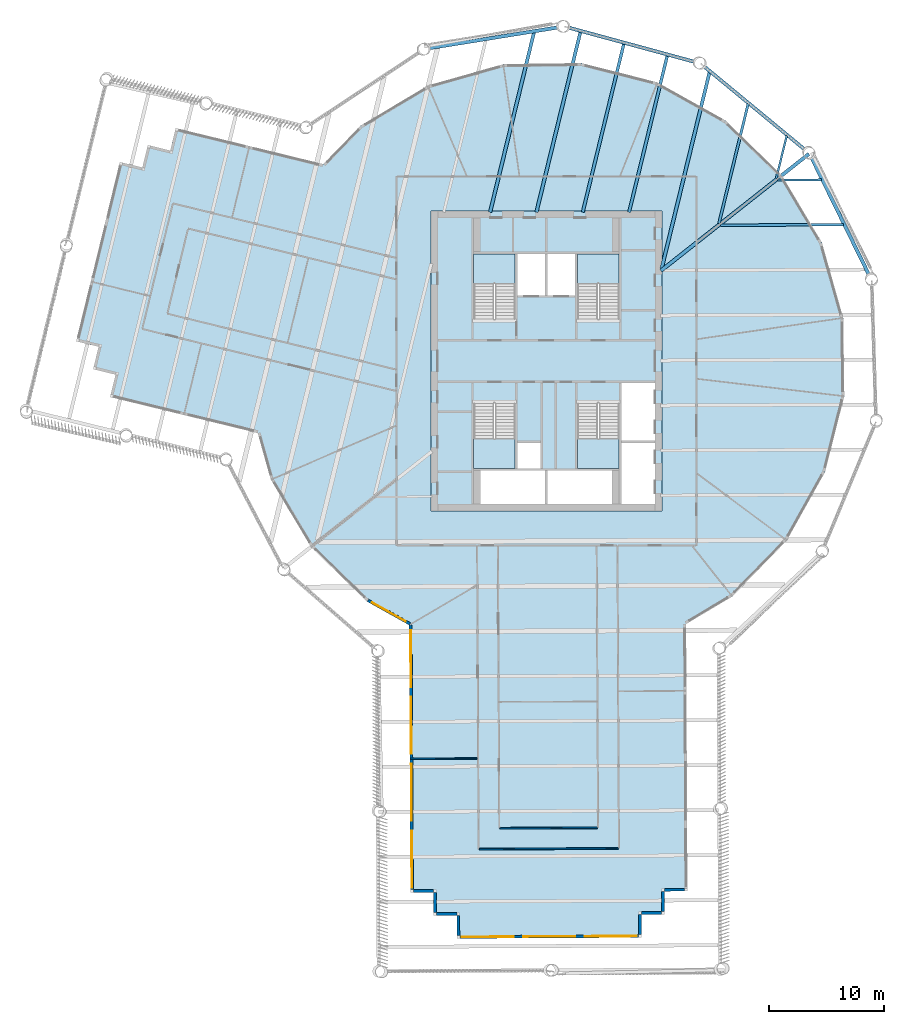
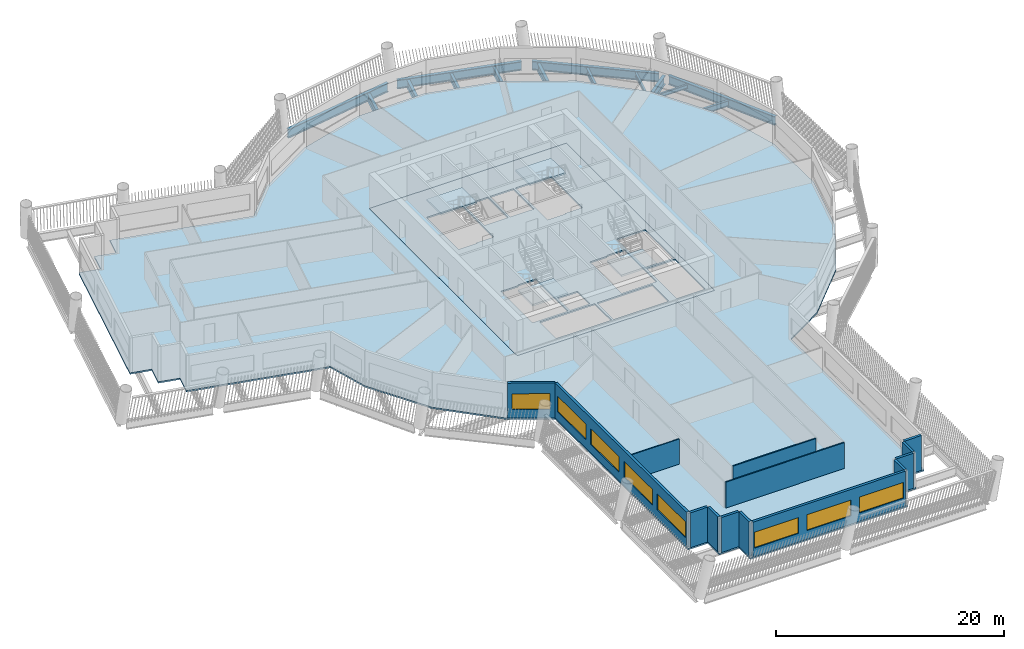
# One storey, part 2 of 15: 14 beams, 14 walls, 8 windows, 6 slabs, 8 openings, 4 elements without a shape of their own.
"""IFC4 building model written with IfcOpenShell, lengths in metres."""

from ifc_helpers import new_model, si_unit, direction, frame, frame_2d, origin, origin_2d, place, context, subcontext, project, spatial, polyline, rectangle, i_section, outline, extrude, material, layer, layer_set, material_profile, profile_set, type_object, element, fill, aggregate, save


model = new_model("IFC4")

# Units and contexts
model_context = context("Model", 3, precision=1e-05, world=origin(), true_north=direction((0.0, 1.0)))
body_context = subcontext(model_context, "Body", "Model", "MODEL_VIEW")
ifc_project = project(units=[si_unit("LENGTHUNIT", "METRE"), si_unit("AREAUNIT", "SQUARE_METRE"), si_unit("VOLUMEUNIT", "CUBIC_METRE"), si_unit("PLANEANGLEUNIT", "RADIAN"), si_unit("MASSUNIT", "GRAM", prefix="KILO")], contexts=[model_context])

# Site, building, storey
site_placement = place(None, origin())
site = spatial("IfcSite", under=ifc_project, at=site_placement, CompositionType="ELEMENT")
building_placement = place(site_placement, origin())
building = spatial("IfcBuilding", under=site, at=building_placement, Name="Tarsis Ring Headquarters", CompositionType="ELEMENT")
storey_placement = place(building_placement, frame((0.0, 0.0, 227.699951171875)))
storey = spatial("IfcBuildingStorey", under=building, at=storey_placement, Name="L53", CompositionType="ELEMENT", Elevation=227.699951171875)

# Beams
ifc_material_1 = material(Name="Structural steel S355", Category="steel")
ifc_material_profile_1 = material_profile(ifc_material_1, i_section(OverallWidth=0.177734375, OverallDepth=0.406494140625, WebThickness=0.0078125, FlangeThickness=0.0126953125, at=origin_2d()), Name="W16x40")
ifc_profile_set_1 = profile_set([ifc_material_profile_1], Name="Structural steel S355")
beam_type_1 = type_object("IfcBeamType", Name="FB Floor beam W16x40", PredefinedType="JOIST", material=ifc_profile_set_1)
for number, where, z_axis, x_axis, name in (
    (1, (20.042236328125, 15.6982421875, -0.363037109375), (0.999988111691, 0.004876112953, 0.0), (-0.004876112953, 0.999988111691, 0.0), "Floor beam FB1"),
    (2, (20.8291015625, 19.541259765625, -0.363037109375), (-0.23720283716, -0.971460145371, 0.0), (0.971460145371, -0.23720283716, 0.0), "Floor beam FB1"),
):
    element("IfcBeam", number, at=place(storey_placement, frame(where, z_axis=z_axis, x_axis=x_axis)), inside=storey, type_object=beam_type_1, Name=name, PredefinedType="JOIST", context=body_context, shape_type="SweptSolid", body=[
        extrude(i_section(OverallWidth=0.177734375, OverallDepth=0.406494140625, WebThickness=0.0078125, FlangeThickness=0.0126953125, at=origin_2d()), origin(), (0.0, 0.0, 1.0), 3.80517578125),
    ])
ifc_material_profile_2 = material_profile(ifc_material_1, i_section(OverallWidth=0.228271484375, OverallDepth=0.607177734375, WebThickness=0.01123046875, FlangeThickness=0.017333984375, at=origin_2d()), Name="W24x76")
ifc_profile_set_2 = profile_set([ifc_material_profile_2], Name="Structural steel S355")
beam_type_2 = type_object("IfcBeamType", Name="FB Floor beam W24x76", PredefinedType="JOIST", material=ifc_profile_set_2)
for number, where, z_axis, x_axis, name in (
    (3, (15.069580078125, 11.773681640625, -0.463623046875), (0.99998804483, 0.004889805356, 0.0), (-0.004889805356, 0.99998804483, 0.0), "Floor beam FB4"),
    (4, (17.488037109375, 22.30029296875, -0.463623046875), (-0.237177098944, -0.971466429547, 0.0), (0.971466429547, -0.237177098944, 0.0), "Floor beam FB4"),
):
    element("IfcBeam", number, at=place(storey_placement, frame(where, z_axis=z_axis, x_axis=x_axis)), inside=storey, type_object=beam_type_2, Name=name, PredefinedType="JOIST", context=body_context, shape_type="SweptSolid", body=[
        extrude(i_section(OverallWidth=0.228271484375, OverallDepth=0.607177734375, WebThickness=0.01123046875, FlangeThickness=0.017333984375, at=origin_2d()), origin(), (0.0, 0.0, 1.0), 10.684814453125),
    ])
ifc_material_profile_3 = material_profile(ifc_material_1, i_section(OverallWidth=0.2666015625, OverallDepth=0.7568359375, WebThickness=0.013916015625, FlangeThickness=0.019287109375, at=origin_2d()), Name="W30x108")
ifc_profile_set_3 = profile_set([ifc_material_profile_3], Name="Structural steel S355")
beam_type_3 = type_object("IfcBeamType", Name="FB Floor beam W30x108", PredefinedType="JOIST", material=ifc_profile_set_3)
beam_1_placement = place(storey_placement, frame((10.48876953125, 26.517822265625, -0.538330078125), z_axis=(-0.237174732449, -0.971467007308, 0.0), x_axis=(0.971467007308, -0.237174732449, 0.0)))
element("IfcBeam", 5, at=beam_1_placement, inside=storey, type_object=beam_type_3, Name="Floor beam FB6", PredefinedType="JOIST", context=body_context, shape_type="SweptSolid", body=[
    extrude(i_section(OverallWidth=0.2666015625, OverallDepth=0.7568359375, WebThickness=0.013916015625, FlangeThickness=0.019287109375, at=origin_2d()), origin(), (0.0, 0.0, 1.0), 14.014892578125),
])
beam_2_placement = place(storey_placement, frame((6.72412109375, 27.541259765625, -0.538330078125), z_axis=(-0.237183322263, -0.971464910143, 0.0), x_axis=(0.971464910143, -0.237183322263, 0.0)))
element("IfcBeam", 6, at=beam_2_placement, inside=storey, type_object=beam_type_3, Name="Floor beam FB6", PredefinedType="JOIST", context=body_context, shape_type="SweptSolid", body=[
    extrude(i_section(OverallWidth=0.2666015625, OverallDepth=0.7568359375, WebThickness=0.013916015625, FlangeThickness=0.019287109375, at=origin_2d()), origin(), (0.0, 0.0, 1.0), 15.068359375),
])
ifc_material_profile_4 = material_profile(ifc_material_1, i_section(OverallWidth=0.2919921875, OverallDepth=0.835693359375, WebThickness=0.013916015625, FlangeThickness=0.018798828125, at=origin_2d()), Name="W33x118")
ifc_profile_set_4 = profile_set([ifc_material_profile_4], Name="Structural steel S355")
beam_type_4 = type_object("IfcBeamType", Name="FB Floor beam W33x118", PredefinedType="JOIST", material=ifc_profile_set_4)
beam_3_placement = place(storey_placement, frame((14.147216796875, 25.05908203125, -0.577880859375), z_axis=(-0.237187843608, -0.971463806245, 0.0), x_axis=(0.971463806245, -0.237187843608, 0.0)))
element("IfcBeam", 7, at=beam_3_placement, inside=storey, type_object=beam_type_4, Name="Floor beam FB7", PredefinedType="JOIST", context=body_context, shape_type="SweptSolid", body=[
    extrude(i_section(OverallWidth=0.2919921875, OverallDepth=0.835693359375, WebThickness=0.013916015625, FlangeThickness=0.018798828125, at=origin_2d()), origin(), (0.0, 0.0, 1.0), 17.564208984375),
])
beam_4_placement = place(storey_placement, frame((2.959228515625, 28.564453125, -0.577880859375), z_axis=(-0.23717998715, -0.971465724406, 0.0), x_axis=(0.971465724406, -0.23717998715, 0.0)))
element("IfcBeam", 8, at=beam_4_placement, inside=storey, type_object=beam_type_4, Name="Floor beam FB7", PredefinedType="JOIST", context=body_context, shape_type="SweptSolid", body=[
    extrude(i_section(OverallWidth=0.2919921875, OverallDepth=0.835693359375, WebThickness=0.013916015625, FlangeThickness=0.018798828125, at=origin_2d()), origin(), (0.0, 0.0, 1.0), 16.12158203125),
])
beam_5_placement = place(storey_placement, frame((-1.064697265625, 28.525634765625, -0.577880859375), z_axis=(-0.237177398188, -0.971466356488, 0.0), x_axis=(0.971466356488, -0.237177398188, 0.0)))
element("IfcBeam", 9, at=beam_5_placement, inside=storey, type_object=beam_type_4, Name="Floor beam FB7", PredefinedType="JOIST", context=body_context, shape_type="SweptSolid", body=[
    extrude(i_section(OverallWidth=0.2919921875, OverallDepth=0.835693359375, WebThickness=0.013916015625, FlangeThickness=0.018798828125, at=origin_2d()), origin(), (0.0, 0.0, 1.0), 16.081787109375),
])
ifc_material_profile_5 = material_profile(ifc_material_1, i_section(OverallWidth=0.309814453125, OverallDepth=0.949951171875, WebThickness=0.0244140625, FlangeThickness=0.0439453125, at=origin_2d()), Name="W36x256")
ifc_profile_set_5 = profile_set([ifc_material_profile_5], Name="Structural steel S355")
beam_type_5 = type_object("IfcBeamType", Name="FB Floor beam W36x256 spine", PredefinedType="BEAM", material=ifc_profile_set_5)
beam_6_placement = place(storey_placement, frame((22.7568359375, 17.95947265625, -0.635009765625), z_axis=(-0.784990150992, -0.619508242759, 0.0), x_axis=(0.619508242759, -0.784990150992, 0.0)))
element("IfcBeam", 10, at=beam_6_placement, inside=storey, type_object=beam_type_5, Name="Floor beam SB11", PredefinedType="BEAM", context=body_context, shape_type="SweptSolid", body=[
    extrude(i_section(OverallWidth=0.309814453125, OverallDepth=0.949951171875, WebThickness=0.0244140625, FlangeThickness=0.0439453125, at=origin_2d()), origin(), (0.0, 0.0, 1.0), 16.35107421875),
])
beam_type_6 = type_object("IfcBeamType", Name="XG Ring girder W36x256", PredefinedType="BEAM", material=ifc_profile_set_5)
beam_7_placement = place(storey_placement, frame((27.98193359375, 7.427734375, -0.474853515625), z_axis=(-0.440062508416, 0.89796714232, 0.0), x_axis=(-0.89796714232, -0.440062508416, 0.0)))
element("IfcBeam", 11, at=beam_7_placement, inside=storey, type_object=beam_type_6, Name="Ring girder XG2", PredefinedType="BEAM", context=body_context, shape_type="SweptSolid", body=[
    extrude(i_section(OverallWidth=0.309814453125, OverallDepth=0.949951171875, WebThickness=0.0244140625, FlangeThickness=0.0439453125, at=origin_2d()), origin(), (0.0, 0.0, 1.0), 11.288818359375),
])
beam_8_placement = place(storey_placement, frame((22.4326171875, 18.30126953125, -0.474853515625), z_axis=(-0.771073010366, 0.636746741402, 0.0), x_axis=(-0.636746741402, -0.771073010366, 0.0)))
element("IfcBeam", 12, at=beam_8_placement, inside=storey, type_object=beam_type_6, Name="Ring girder XG2", PredefinedType="BEAM", context=body_context, shape_type="SweptSolid", body=[
    extrude(i_section(OverallWidth=0.309814453125, OverallDepth=0.949951171875, WebThickness=0.0244140625, FlangeThickness=0.0439453125, at=origin_2d()), origin(), (0.0, 0.0, 1.0), 11.28857421875),
])
for number, where, z_axis, x_axis, name in (
    (13, (12.894775390625, 25.9208984375, -0.474853515625), (-0.96498905111, 0.262290166111, 0.0), (-0.262290166111, -0.96498905111, 0.0), "Ring girder XG2"),
    (14, (1.06396484375, 28.931640625, -0.474853515625), (-0.987313182253, -0.158785012357, 0.0), (0.158785012357, -0.987313182253, 0.0), "Ring girder XG2"),
):
    element("IfcBeam", number, at=place(storey_placement, frame(where, z_axis=z_axis, x_axis=x_axis)), inside=storey, type_object=beam_type_6, Name=name, PredefinedType="BEAM", context=body_context, shape_type="SweptSolid", body=[
        extrude(i_section(OverallWidth=0.309814453125, OverallDepth=0.949951171875, WebThickness=0.0244140625, FlangeThickness=0.0439453125, at=origin_2d()), origin(), (0.0, 0.0, 1.0), 11.288818359375),
    ])

# Slab
ifc_material_2 = material(Name="Concrete C40/50", Category="concrete")
ifc_layer_1 = layer(ifc_material_2, 0.159912109375)
ifc_layer_set_1 = layer_set([ifc_layer_1], Name="Core floor slab 160 C40/50")
slab_type_1 = type_object("IfcSlabType", Name="Core floor slab 160 C40/50", PredefinedType="FLOOR", material=ifc_layer_set_1)
slab_1_placement = place(storey_placement, frame((0.0, 0.0, -0.159912109375)))
element("IfcSlab", 15, at=slab_1_placement, inside=storey, type_object=slab_type_1, Name="L53 core floor slab", PredefinedType="FLOOR", context=body_context, shape_type="SweptSolid", body=[
    extrude(outline(polyline([(-10.0, -13.0), (10.0, -13.0), (10.0, 13.0), (-10.0, 13.0), (-10.0, -13.0)]), holes=[polyline([(-2.5, 5.699951171875), (-0.10009765625, 5.699951171875), (-0.10009765625, 9.300048828125), (-2.5, 9.300048828125), (-2.5, 5.699951171875)]), polyline([(0.10009765625, 5.699951171875), (2.5, 5.699951171875), (2.5, 9.300048828125), (0.10009765625, 9.300048828125), (0.10009765625, 5.699951171875)]), polyline([(6.5, -12.39990234375), (9.39990234375, -12.39990234375), (9.39990234375, -7.10009765625), (6.5, -7.10009765625), (6.5, -12.39990234375)]), polyline([(6.5, -6.89990234375), (9.39990234375, -6.89990234375), (9.39990234375, -1.89990234375), (6.5, -1.89990234375), (6.5, -6.89990234375)]), polyline([(-5.699951171875, -12.39990234375), (-0.10009765625, -12.39990234375), (-0.10009765625, -9.5), (-5.699951171875, -9.5), (-5.699951171875, -12.39990234375)]), polyline([(0.10009765625, -12.39990234375), (5.699951171875, -12.39990234375), (5.699951171875, -9.5), (0.10009765625, -9.5), (0.10009765625, -12.39990234375)]), polyline([(-2.5, -9.300048828125), (-0.5, -9.300048828125), (-0.5, -7.10009765625), (-2.5, -7.10009765625), (-2.5, -9.300048828125)]), polyline([(-2.699951171875, 3.760009765625), (-2.699951171875, 9.300048828125), (-6.300048828125, 9.300048828125), (-6.300048828125, 3.659912109375), (-4.4599609375, 3.659912109375), (-4.4599609375, 3.760009765625), (-2.699951171875, 3.760009765625)]), polyline([(6.300048828125, 3.760009765625), (6.300048828125, 9.300048828125), (2.699951171875, 9.300048828125), (2.699951171875, 3.659912109375), (4.5400390625, 3.659912109375), (4.5400390625, 3.760009765625), (6.300048828125, 3.760009765625)]), polyline([(-6.300048828125, -3.760009765625), (-6.300048828125, -9.300048828125), (-2.699951171875, -9.300048828125), (-2.699951171875, -3.659912109375), (-4.5400390625, -3.659912109375), (-4.5400390625, -3.760009765625), (-6.300048828125, -3.760009765625)]), polyline([(2.699951171875, -3.760009765625), (2.699951171875, -9.300048828125), (6.300048828125, -9.300048828125), (6.300048828125, -3.659912109375), (4.4599609375, -3.659912109375), (4.4599609375, -3.760009765625), (2.699951171875, -3.760009765625)])]), origin(), (0.0, 0.0, 1.0), 0.159912109375),
])

# Stair, slab
ifc_material_3 = material(Name="Core stair 1760")
stair_type = type_object("IfcStairType", Name="Core stair 1760", PredefinedType="HALF_TURN_STAIR", material=ifc_material_3)
stair_1_placement = place(storey_placement, origin())
stair_1 = element("IfcStair", 16, at=stair_1_placement, inside=storey, type_object=stair_type, Name="L53 Firefighting stair", PredefinedType="HALF_TURN_STAIR")
ifc_layer_2 = layer(ifc_material_2, 0.199951171875)
ifc_layer_set_2 = layer_set([ifc_layer_2], Name="Core stair landing 200")
slab_type_2 = type_object("IfcSlabType", Name="Core stair landing 200", PredefinedType="LANDING", material=ifc_layer_set_2)
slab_2_placement = place(storey_placement, frame((0.0, 0.0, 1.75)))
slab_2 = element("IfcSlab", 17, at=slab_2_placement, type_object=slab_type_2, Name="Stair ST1 landing 1", PredefinedType="LANDING", context=body_context, shape_type="SweptSolid", body=[
    extrude(outline(polyline([(-2.699951171875, 6.739990234375), (-2.699951171875, 9.300048828125), (-6.300048828125, 9.300048828125), (-6.300048828125, 6.739990234375), (-2.699951171875, 6.739990234375)])), origin(), (0.0, 0.0, 1.0), 0.199951171875),
])
aggregate(stair_1, [slab_2])

stair_2_placement = place(storey_placement, origin())
stair_2 = element("IfcStair", 18, at=stair_2_placement, inside=storey, type_object=stair_type, Name="L53 Exit stair B", PredefinedType="HALF_TURN_STAIR")
slab_3_placement = place(storey_placement, frame((0.0, 0.0, 1.75)))
slab_3 = element("IfcSlab", 19, at=slab_3_placement, type_object=slab_type_2, Name="Stair ST2 landing 1", PredefinedType="LANDING", context=body_context, shape_type="SweptSolid", body=[
    extrude(outline(polyline([(6.300048828125, 6.739990234375), (6.300048828125, 9.300048828125), (2.699951171875, 9.300048828125), (2.699951171875, 6.739990234375), (6.300048828125, 6.739990234375)])), origin(), (0.0, 0.0, 1.0), 0.199951171875),
])
aggregate(stair_2, [slab_3])

stair_3_placement = place(storey_placement, origin())
stair_3 = element("IfcStair", 20, at=stair_3_placement, inside=storey, type_object=stair_type, Name="L53 Exit stair C", PredefinedType="HALF_TURN_STAIR")
slab_4_placement = place(storey_placement, frame((0.0, 0.0, 1.75)))
slab_4 = element("IfcSlab", 21, at=slab_4_placement, type_object=slab_type_2, Name="Stair ST3 landing 1", PredefinedType="LANDING", context=body_context, shape_type="SweptSolid", body=[
    extrude(outline(polyline([(-6.300048828125, -6.739990234375), (-6.300048828125, -9.300048828125), (-2.699951171875, -9.300048828125), (-2.699951171875, -6.739990234375), (-6.300048828125, -6.739990234375)])), origin(), (0.0, 0.0, 1.0), 0.199951171875),
])
aggregate(stair_3, [slab_4])

stair_4_placement = place(storey_placement, origin())
stair_4 = element("IfcStair", 22, at=stair_4_placement, inside=storey, type_object=stair_type, Name="L53 Exit stair D", PredefinedType="HALF_TURN_STAIR")
slab_5_placement = place(storey_placement, frame((0.0, 0.0, 1.75)))
slab_5 = element("IfcSlab", 23, at=slab_5_placement, type_object=slab_type_2, Name="Stair ST4 landing 1", PredefinedType="LANDING", context=body_context, shape_type="SweptSolid", body=[
    extrude(outline(polyline([(2.699951171875, -6.739990234375), (2.699951171875, -9.300048828125), (6.300048828125, -9.300048828125), (6.300048828125, -6.739990234375), (2.699951171875, -6.739990234375)])), origin(), (0.0, 0.0, 1.0), 0.199951171875),
])
aggregate(stair_4, [slab_5])

# Slab
ifc_material_4 = material(Name="Concrete C35/45", Category="concrete")
ifc_layer_3 = layer(ifc_material_4, 0.159912109375)
ifc_layer_set_3 = layer_set([ifc_layer_3], Name="FS Composite floor slab 160")
slab_type_3 = type_object("IfcSlabType", Name="FS Composite floor slab 160", PredefinedType="FLOOR", material=ifc_layer_set_3)
slab_6_placement = place(storey_placement, frame((0.0, 0.0, -0.159912109375)))
element("IfcSlab", 24, at=slab_6_placement, inside=storey, type_object=slab_type_3, Name="Floor slab L53", PredefinedType="FLOOR", context=body_context, shape_type="SweptSolid", body=[
    extrude(outline(polyline([(-25.022705078125, -6.243408203125), (-23.88330078125, -10.27587890625), (-20.409912109375, -16.107177734375), (-15.54541015625, -20.8408203125), (-11.88818359375, -22.886474609375), (-11.775146484375, -46.05810546875), (-9.775146484375, -46.04833984375), (-9.765380859375, -48.04833984375), (-7.765380859375, -48.03857421875), (-7.755615234375, -50.03857421875), (8.244140625, -49.960205078125), (8.234375, -47.96044921875), (10.234375, -47.950439453125), (10.224609375, -45.95068359375), (12.224609375, -45.94091796875), (12.111572265625, -22.789794921875), (16.107177734375, -20.409912109375), (20.8408203125, -15.54541015625), (24.154052734375, -9.621826171875), (25.8212890625, -3.04248046875), (25.72900390625, 3.744384765625), (23.88330078125, 10.27587890625), (20.409912109375, 16.107177734375), (15.54541015625, 20.8408203125), (9.621826171875, 24.154052734375), (3.04248046875, 25.8212890625), (-3.744384765625, 25.72900390625), (-10.27587890625, 23.88330078125), (-16.107177734375, 20.409912109375), (-19.3505859375, 17.076904296875), (-32.126708984375, 20.196044921875), (-32.60107421875, 18.2529296875), (-34.5439453125, 18.727294921875), (-35.018310546875, 16.784423828125), (-36.961181640625, 17.2587890625), (-40.756103515625, 1.71533203125), (-38.813232421875, 1.240966796875), (-39.28759765625, -0.701904296875), (-37.344482421875, -1.17626953125), (-37.81884765625, -3.119140625), (-25.022705078125, -6.243408203125)]), holes=[polyline([(-10.0, -13.0), (-10.0, 13.0), (10.0, 13.0), (10.0, -13.0), (-10.0, -13.0)])]), origin(), (0.0, 0.0, 1.0), 0.159912109375),
])

# Walls
ifc_material_5 = material(Name="Gypsum board on steel studs", Category="steel")
ifc_layer_4 = layer(ifc_material_5, 0.10009765625)
ifc_layer_set_4 = layer_set([ifc_layer_4], Name="FL partition 100 unrated")
wall_type_1 = type_object("IfcWallType", Name="FL partition 100 unrated", PredefinedType="PARTITIONING", material=ifc_layer_set_4)
wall_1_placement = place(storey_placement, frame((-11.78173828125, -34.468017578125, 0.0), z_axis=(0.0, 0.0, 1.0), x_axis=(0.999988079485, 0.004882713189, 0.0)))
element("IfcWall", 25, at=wall_1_placement, inside=storey, type_object=wall_type_1, Name="Partition PW3", PredefinedType="PARTITIONING", context=body_context, shape_type="SweptSolid", body=[
    extrude(rectangle(XDim=5.800048828125, YDim=0.10009765625, at=frame_2d((2.89990234375, 0.0))), origin(), (0.0, 0.0, 1.0), 2.699951171875),
])
ifc_layer_5 = layer(ifc_material_5, 0.125)
ifc_layer_set_5 = layer_set([ifc_layer_5], Name="FL partition 125 EI 60 H2770")
wall_type_2 = type_object("IfcWallType", Name="FL partition 125 EI 60 H2770", PredefinedType="PARTITIONING", material=ifc_layer_set_5)
wall_2_placement = place(storey_placement, frame((-5.8134765625, -42.298828125, 0.0), z_axis=(0.0, 0.0, 1.0), x_axis=(0.999988059552, 0.004886793786, 0.0)))
element("IfcWall", 26, at=wall_2_placement, inside=storey, type_object=wall_type_2, Name="Partition PW1", PredefinedType="PARTITIONING", context=body_context, shape_type="SweptSolid", body=[
    extrude(rectangle(XDim=12.040283203125, YDim=0.125, at=frame_2d((6.02001953125, 0.0))), origin(), (0.0, 0.0, 1.0), 2.77001953125),
])
wall_3_placement = place(storey_placement, frame((-4.022216796875, -40.489990234375, 0.0), z_axis=(0.0, 0.0, 1.0), x_axis=(0.999988191843, 0.004859647562, 0.0)))
element("IfcWall", 27, at=wall_3_placement, inside=storey, type_object=wall_type_2, Name="Partition PW1", PredefinedType="PARTITIONING", context=body_context, shape_type="SweptSolid", body=[
    extrude(rectangle(XDim=8.43994140625, YDim=0.125, at=frame_2d((4.219970703125, 0.0))), origin(), (0.0, 0.0, 1.0), 2.77001953125),
])

# Wall, opening, window
ifc_material_6 = material(Name="Terracotta clad insulated panel wall", Category="masonry")
ifc_layer_6 = layer(ifc_material_6, 0.25)
ifc_layer_set_6 = layer_set([ifc_layer_6], Name="Facade wall terracotta panel 250")
wall_type_3 = type_object("IfcWallType", Name="Facade wall terracotta panel 250", PredefinedType="STANDARD", material=ifc_layer_set_6)
wall_4_placement = place(storey_placement, frame((-15.455810546875, -20.747802734375, 0.0), z_axis=(0.0, 0.0, 1.0), x_axis=(0.872749242074, -0.488168782759, 0.0)))
wall_4 = element("IfcWall", 28, at=wall_4_placement, inside=storey, type_object=wall_type_3, Name="External wall L53-05", PredefinedType="STANDARD", context=body_context, shape_type="SweptSolid", body=[
    extrude(rectangle(XDim=4.157470703125, YDim=0.25, at=frame_2d((2.07861328125, 0.0))), origin(), (0.0, 0.0, 1.0), 3.739990234375),
])
opening_1_placement = place(wall_4_placement, frame((0.38720703125, 0.0, 0.89990234375)))
opening_1 = element("IfcOpeningElement", 29, at=opening_1_placement, cuts=wall_4, Name="Opening WN01", PredefinedType="OPENING", context=body_context, shape_type="SweptSolid", body=[
    extrude(rectangle(XDim=3.35009765625, YDim=1.699951171875, at=frame_2d((1.675048828125, 0.85009765625))), frame((0.0, 0.135009765625, 0.0), z_axis=(0.0, -1.0, 0.0), x_axis=(1.0, 0.0, 0.0)), (0.0, 0.0, 1.0), 0.27001953125),
])
ifc_material_7 = material(Name="Aluminium framed double glazing", Category="aluminium")
window_type_1 = type_object("IfcWindowType", Name="Facade window 3350 x 1700", PartitioningType="SINGLE_PANEL", PredefinedType="WINDOW", material=ifc_material_7)
window_1_placement = place(opening_1_placement, origin())
window_1 = element("IfcWindow", 30, at=window_1_placement, inside=storey, type_object=window_type_1, Name="Window L53-05.1", OverallHeight=1.699951171875, OverallWidth=3.35009765625, PartitioningType="SINGLE_PANEL", PredefinedType="WINDOW", context=body_context, shape_type="SweptSolid", body=[
    extrude(rectangle(XDim=3.35009765625, YDim=1.699951171875, at=frame_2d((1.675048828125, 0.85009765625))), frame((0.0, 0.030029296875, 0.0), z_axis=(0.0, -1.0, 0.0), x_axis=(1.0, 0.0, 0.0)), (0.0, 0.0, 1.0), 0.06005859375),
])
fill(opening_1, window_1)

# Wall, openings, windows
wall_5_placement = place(storey_placement, frame((-11.76318359375, -22.8857421875, 0.0), z_axis=(0.0, 0.0, 1.0), x_axis=(0.004878146608, -0.999988101772, 0.0)))
wall_5 = element("IfcWall", 31, at=wall_5_placement, inside=storey, type_object=wall_type_3, Name="External wall L53-06", PredefinedType="STANDARD", context=body_context, shape_type="SweptSolid", body=[
    extrude(rectangle(XDim=22.921875, YDim=0.25, at=frame_2d((11.4609375, 0.0))), origin(), (0.0, 0.0, 1.0), 3.739990234375),
])
opening_2_placement = place(wall_5_placement, frame((0.42138671875, 0.0, 0.89990234375)))
opening_2 = element("IfcOpeningElement", 32, at=opening_2_placement, cuts=wall_5, Name="Opening WN05", PredefinedType="OPENING", context=body_context, shape_type="SweptSolid", body=[
    extrude(rectangle(XDim=4.949951171875, YDim=1.699951171875, at=frame_2d((2.47509765625, 0.85009765625))), frame((0.0, 0.135009765625, 0.0), z_axis=(0.0, -1.0, 0.0), x_axis=(1.0, 0.0, 0.0)), (0.0, 0.0, 1.0), 0.27001953125),
])
opening_3_placement = place(wall_5_placement, frame((6.214599609375, 0.0, 0.89990234375)))
opening_3 = element("IfcOpeningElement", 33, at=opening_3_placement, cuts=wall_5, Name="Opening WN05", PredefinedType="OPENING", context=body_context, shape_type="SweptSolid", body=[
    extrude(rectangle(XDim=4.949951171875, YDim=1.699951171875, at=frame_2d((2.47509765625, 0.85009765625))), frame((0.0, 0.135009765625, 0.0), z_axis=(0.0, -1.0, 0.0), x_axis=(1.0, 0.0, 0.0)), (0.0, 0.0, 1.0), 0.27001953125),
])
opening_4_placement = place(wall_5_placement, frame((12.007568359375, 0.0, 0.89990234375)))
opening_4 = element("IfcOpeningElement", 34, at=opening_4_placement, cuts=wall_5, Name="Opening WN05", PredefinedType="OPENING", context=body_context, shape_type="SweptSolid", body=[
    extrude(rectangle(XDim=4.949951171875, YDim=1.699951171875, at=frame_2d((2.47509765625, 0.85009765625))), frame((0.0, 0.135009765625, 0.0), z_axis=(0.0, -1.0, 0.0), x_axis=(1.0, 0.0, 0.0)), (0.0, 0.0, 1.0), 0.27001953125),
])
opening_5_placement = place(wall_5_placement, frame((17.800537109375, 0.0, 0.89990234375)))
opening_5 = element("IfcOpeningElement", 35, at=opening_5_placement, cuts=wall_5, Name="Opening WN05", PredefinedType="OPENING", context=body_context, shape_type="SweptSolid", body=[
    extrude(rectangle(XDim=4.949951171875, YDim=1.699951171875, at=frame_2d((2.47509765625, 0.85009765625))), frame((0.0, 0.135009765625, 0.0), z_axis=(0.0, -1.0, 0.0), x_axis=(1.0, 0.0, 0.0)), (0.0, 0.0, 1.0), 0.27001953125),
])
window_type_2 = type_object("IfcWindowType", Name="Facade window 4950 x 1700", PartitioningType="SINGLE_PANEL", PredefinedType="WINDOW", material=ifc_material_7)
window_2_placement = place(opening_2_placement, origin())
window_2 = element("IfcWindow", 36, at=window_2_placement, inside=storey, type_object=window_type_2, Name="Window L53-06.1", OverallHeight=1.699951171875, OverallWidth=4.949951171875, PartitioningType="SINGLE_PANEL", PredefinedType="WINDOW", context=body_context, shape_type="SweptSolid", body=[
    extrude(rectangle(XDim=4.949951171875, YDim=1.699951171875, at=frame_2d((2.47509765625, 0.85009765625))), frame((0.0, 0.030029296875, 0.0), z_axis=(0.0, -1.0, 0.0), x_axis=(1.0, 0.0, 0.0)), (0.0, 0.0, 1.0), 0.06005859375),
])
fill(opening_2, window_2)
window_3_placement = place(opening_3_placement, origin())
window_3 = element("IfcWindow", 37, at=window_3_placement, inside=storey, type_object=window_type_2, Name="Window L53-06.2", OverallHeight=1.699951171875, OverallWidth=4.949951171875, PartitioningType="SINGLE_PANEL", PredefinedType="WINDOW", context=body_context, shape_type="SweptSolid", body=[
    extrude(rectangle(XDim=4.949951171875, YDim=1.699951171875, at=frame_2d((2.47509765625, 0.85009765625))), frame((0.0, 0.030029296875, 0.0), z_axis=(0.0, -1.0, 0.0), x_axis=(1.0, 0.0, 0.0)), (0.0, 0.0, 1.0), 0.06005859375),
])
fill(opening_3, window_3)
window_4_placement = place(opening_4_placement, origin())
window_4 = element("IfcWindow", 38, at=window_4_placement, inside=storey, type_object=window_type_2, Name="Window L53-06.3", OverallHeight=1.699951171875, OverallWidth=4.949951171875, PartitioningType="SINGLE_PANEL", PredefinedType="WINDOW", context=body_context, shape_type="SweptSolid", body=[
    extrude(rectangle(XDim=4.949951171875, YDim=1.699951171875, at=frame_2d((2.47509765625, 0.85009765625))), frame((0.0, 0.030029296875, 0.0), z_axis=(0.0, -1.0, 0.0), x_axis=(1.0, 0.0, 0.0)), (0.0, 0.0, 1.0), 0.06005859375),
])
fill(opening_4, window_4)
window_5_placement = place(opening_5_placement, origin())
window_5 = element("IfcWindow", 39, at=window_5_placement, inside=storey, type_object=window_type_2, Name="Window L53-06.4", OverallHeight=1.699951171875, OverallWidth=4.949951171875, PartitioningType="SINGLE_PANEL", PredefinedType="WINDOW", context=body_context, shape_type="SweptSolid", body=[
    extrude(rectangle(XDim=4.949951171875, YDim=1.699951171875, at=frame_2d((2.47509765625, 0.85009765625))), frame((0.0, 0.030029296875, 0.0), z_axis=(0.0, -1.0, 0.0), x_axis=(1.0, 0.0, 0.0)), (0.0, 0.0, 1.0), 0.06005859375),
])
fill(opening_5, window_5)

# Walls
for number, where, z_axis, x_axis, name in (
    (40, (-11.525634765625, -45.931884765625, 0.0), (0.0, 0.0, 1.0), (0.999988079284, 0.004882754293, 0.0), "External wall L53-07"),
    (41, (-9.650146484375, -46.047607421875, 0.0), (0.0, 0.0, 1.0), (0.004882754293, -0.999988079284, 0.0), "External wall L53-08"),
    (42, (-9.515869140625, -47.922119140625, 0.0), (0.0, 0.0, 1.0), (0.999988079284, 0.004882754293, 0.0), "External wall L53-09"),
    (43, (-7.640380859375, -48.037841796875, 0.0), (0.0, 0.0, 1.0), (0.004882754293, -0.999988079284, 0.0), "External wall L53-10"),
):
    element("IfcWall", number, at=place(storey_placement, frame(where, z_axis=z_axis, x_axis=x_axis)), inside=storey, type_object=wall_type_3, Name=name, PredefinedType="STANDARD", context=body_context, shape_type="SweptSolid", body=[
        extrude(rectangle(XDim=1.75, YDim=0.25, at=frame_2d((0.875, 0.0))), origin(), (0.0, 0.0, 1.0), 3.739990234375),
    ])

# Wall, openings, windows
wall_6_placement = place(storey_placement, frame((-7.506103515625, -49.912353515625, 0.0), z_axis=(0.0, 0.0, 1.0), x_axis=(0.999988001876, 0.004898581892, 0.0)))
wall_6 = element("IfcWall", 44, at=wall_6_placement, inside=storey, type_object=wall_type_3, Name="External wall L53-11", PredefinedType="STANDARD", context=body_context, shape_type="SweptSolid", body=[
    extrude(rectangle(XDim=15.5, YDim=0.25, at=frame_2d((7.75, 0.0))), origin(), (0.0, 0.0, 1.0), 3.739990234375),
])
opening_6_placement = place(wall_6_placement, frame((0.166748046875, 0.0, 0.89990234375)))
opening_6 = element("IfcOpeningElement", 45, at=opening_6_placement, cuts=wall_6, Name="Opening WN04", PredefinedType="OPENING", context=body_context, shape_type="SweptSolid", body=[
    extrude(rectangle(XDim=4.5, YDim=1.699951171875, at=frame_2d((2.25, 0.85009765625))), frame((0.0, 0.135009765625, 0.0), z_axis=(0.0, -1.0, 0.0), x_axis=(1.0, 0.0, 0.0)), (0.0, 0.0, 1.0), 0.27001953125),
])
opening_7_placement = place(wall_6_placement, frame((5.5, 0.0, 0.89990234375)))
opening_7 = element("IfcOpeningElement", 46, at=opening_7_placement, cuts=wall_6, Name="Opening WN04", PredefinedType="OPENING", context=body_context, shape_type="SweptSolid", body=[
    extrude(rectangle(XDim=4.5, YDim=1.699951171875, at=frame_2d((2.25, 0.85009765625))), frame((0.0, 0.135009765625, 0.0), z_axis=(0.0, -1.0, 0.0), x_axis=(1.0, 0.0, 0.0)), (0.0, 0.0, 1.0), 0.27001953125),
])
opening_8_placement = place(wall_6_placement, frame((10.833251953125, 0.0, 0.89990234375)))
opening_8 = element("IfcOpeningElement", 47, at=opening_8_placement, cuts=wall_6, Name="Opening WN04", PredefinedType="OPENING", context=body_context, shape_type="SweptSolid", body=[
    extrude(rectangle(XDim=4.5, YDim=1.699951171875, at=frame_2d((2.25, 0.85009765625))), frame((0.0, 0.135009765625, 0.0), z_axis=(0.0, -1.0, 0.0), x_axis=(1.0, 0.0, 0.0)), (0.0, 0.0, 1.0), 0.27001953125),
])
window_type_3 = type_object("IfcWindowType", Name="Facade window 4500 x 1700", PartitioningType="SINGLE_PANEL", PredefinedType="WINDOW", material=ifc_material_7)
window_6_placement = place(opening_6_placement, origin())
window_6 = element("IfcWindow", 48, at=window_6_placement, inside=storey, type_object=window_type_3, Name="Window L53-11.1", OverallHeight=1.699951171875, OverallWidth=4.5, PartitioningType="SINGLE_PANEL", PredefinedType="WINDOW", context=body_context, shape_type="SweptSolid", body=[
    extrude(rectangle(XDim=4.5, YDim=1.699951171875, at=frame_2d((2.25, 0.85009765625))), frame((0.0, 0.030029296875, 0.0), z_axis=(0.0, -1.0, 0.0), x_axis=(1.0, 0.0, 0.0)), (0.0, 0.0, 1.0), 0.06005859375),
])
fill(opening_6, window_6)
window_7_placement = place(opening_7_placement, origin())
window_7 = element("IfcWindow", 49, at=window_7_placement, inside=storey, type_object=window_type_3, Name="Window L53-11.2", OverallHeight=1.699951171875, OverallWidth=4.5, PartitioningType="SINGLE_PANEL", PredefinedType="WINDOW", context=body_context, shape_type="SweptSolid", body=[
    extrude(rectangle(XDim=4.5, YDim=1.699951171875, at=frame_2d((2.25, 0.85009765625))), frame((0.0, 0.030029296875, 0.0), z_axis=(0.0, -1.0, 0.0), x_axis=(1.0, 0.0, 0.0)), (0.0, 0.0, 1.0), 0.06005859375),
])
fill(opening_7, window_7)
window_8_placement = place(opening_8_placement, origin())
window_8 = element("IfcWindow", 50, at=window_8_placement, inside=storey, type_object=window_type_3, Name="Window L53-11.3", OverallHeight=1.699951171875, OverallWidth=4.5, PartitioningType="SINGLE_PANEL", PredefinedType="WINDOW", context=body_context, shape_type="SweptSolid", body=[
    extrude(rectangle(XDim=4.5, YDim=1.699951171875, at=frame_2d((2.25, 0.85009765625))), frame((0.0, 0.030029296875, 0.0), z_axis=(0.0, -1.0, 0.0), x_axis=(1.0, 0.0, 0.0)), (0.0, 0.0, 1.0), 0.06005859375),
])
fill(opening_8, window_8)

# Walls
for number, where, z_axis, x_axis, name in (
    (51, (8.117919921875, -49.7109375, 0.0), (0.0, 0.0, 1.0), (-0.004882754293, 0.999988079284, 0.0), "External wall L53-12"),
    (52, (8.23388671875, -47.83544921875, 0.0), (0.0, 0.0, 1.0), (0.999987388382, 0.005022258089, 0.0), "External wall L53-13"),
    (53, (10.108154296875, -47.701171875, 0.0), (0.0, 0.0, 1.0), (-0.004882754293, 0.999988079284, 0.0), "External wall L53-14"),
    (54, (10.22412109375, -45.82568359375, 0.0), (0.0, 0.0, 1.0), (0.999988079284, 0.004882754293, 0.0), "External wall L53-15"),
):
    element("IfcWall", number, at=place(storey_placement, frame(where, z_axis=z_axis, x_axis=x_axis)), inside=storey, type_object=wall_type_3, Name=name, PredefinedType="STANDARD", context=body_context, shape_type="SweptSolid", body=[
        extrude(rectangle(XDim=1.75, YDim=0.25, at=frame_2d((0.875, 0.0))), origin(), (0.0, 0.0, 1.0), 3.739990234375),
    ])

save(model, "model.ifc")
